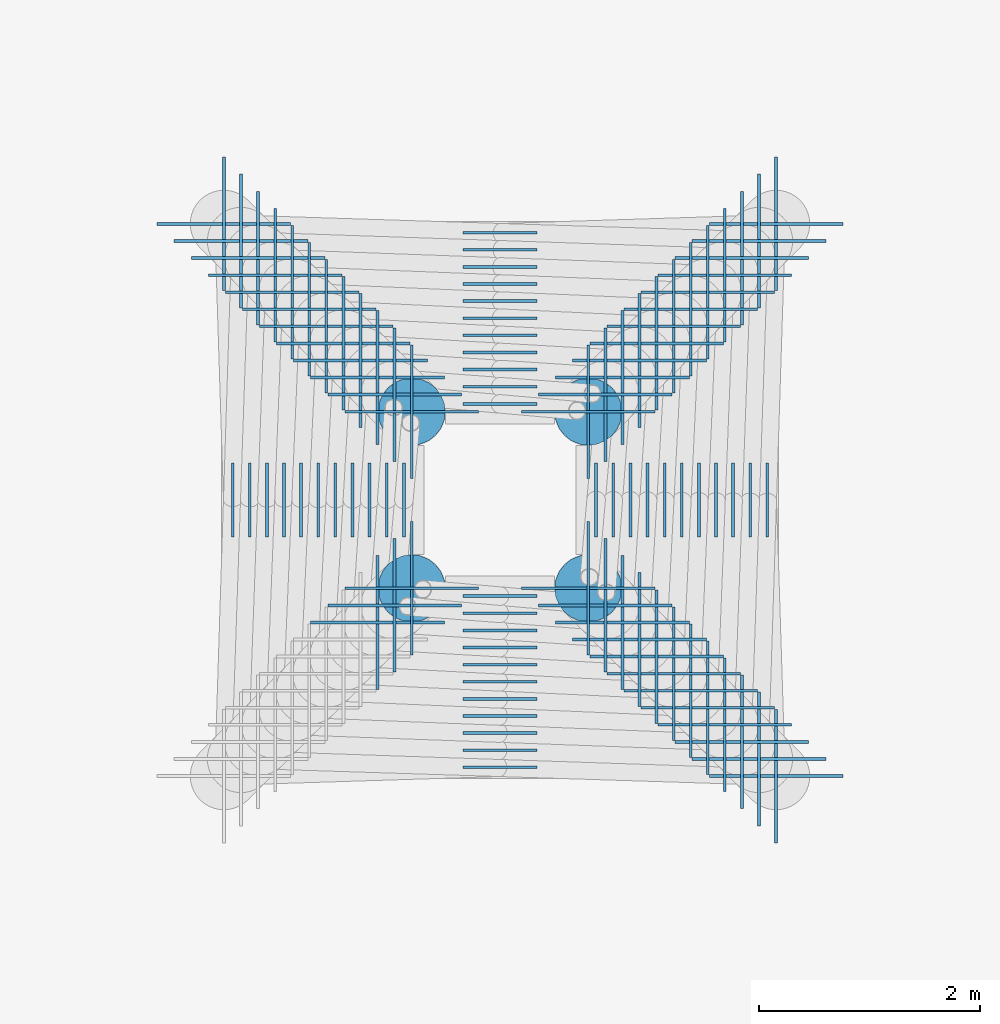
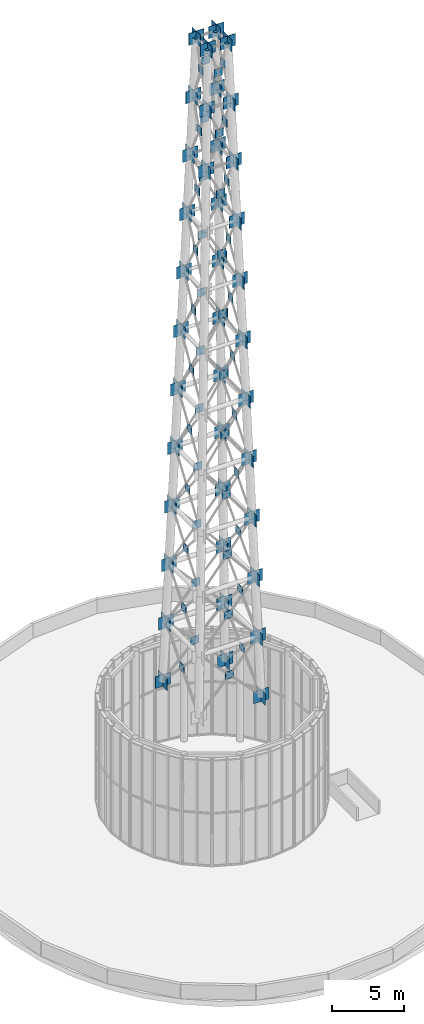
# One storey, part 11 of 11: 126 discrete accessories.
"""IFC4 building model written with IfcOpenShell, lengths in metres."""

from ifc_helpers import new_model, si_unit, direction, frame, origin, origin_2d, place, context, subcontext, project, spatial, polyline, rectangle, outline, extrude, element, save


model = new_model("IFC4")

# Units and contexts
model_context = context("Model", 3, precision=1e-05, world=origin(), true_north=direction((0.0, 1.0)))
body_context = subcontext(model_context, "Body", "Model", "MODEL_VIEW")
ifc_project = project(units=[si_unit("LENGTHUNIT", "METRE"), si_unit("AREAUNIT", "SQUARE_METRE"), si_unit("VOLUMEUNIT", "CUBIC_METRE"), si_unit("PLANEANGLEUNIT", "RADIAN"), si_unit("MASSUNIT", "GRAM", prefix="KILO")], contexts=[model_context])

# Site, building, storey
site_placement = place(None, origin())
site = spatial("IfcSite", under=ifc_project, at=site_placement, CompositionType="ELEMENT")
building_placement = place(site_placement, origin())
building = spatial("IfcBuilding", under=site, at=building_placement, Name="Vermilion Reach Broadcast Tower", CompositionType="ELEMENT")
storey_placement = place(building_placement, frame((0.0, 0.0, 329.699951171875)))
storey = spatial("IfcBuildingStorey", under=building, at=storey_placement, Name="RF", CompositionType="ELEMENT", Elevation=329.699951171875)

# Discrete accessories
for number, where, z_axis, x_axis, name in (
    (1, (-6.0, -2.420166015625, 11.7431640625), (0.0, 0.0, 1.0), (0.0, 1.0, 0.0), "Node plate MAST-X1 crossing 1"),
    (2, (-3.579833984375, 0.0, 11.7431640625), (0.0, 0.0, 1.0), (-1.0, 0.0, 0.0), "Node plate MAST-X1 crossing 2"),
    (3, (-6.0, 2.420166015625, 11.7431640625), (0.0, 0.0, 1.0), (0.0, -1.0, 0.0), "Node plate MAST-X1 crossing 3"),
    (4, (-8.420166015625, 0.0, 11.7431640625), (0.0, 0.0, 1.0), (1.0, 0.0, 0.0), "Node plate MAST-X1 crossing 4"),
    (5, (-6.0, -2.265625, 16.74853515625), (0.0, 0.0, 1.0), (0.0, 1.0, 0.0), "Node plate MAST-X2 crossing 1"),
    (6, (-3.734375, 0.0, 16.74853515625), (0.0, 0.0, 1.0), (-1.0, 0.0, 0.0), "Node plate MAST-X2 crossing 2"),
    (7, (-6.0, 2.265625, 16.74853515625), (0.0, 0.0, 1.0), (0.0, -1.0, 0.0), "Node plate MAST-X2 crossing 3"),
    (8, (-8.265625, 0.0, 16.74853515625), (0.0, 0.0, 1.0), (1.0, 0.0, 0.0), "Node plate MAST-X2 crossing 4"),
    (9, (-6.0, -2.11083984375, 21.7548828125), (0.0, 0.0, 1.0), (0.0, 1.0, 0.0), "Node plate MAST-X3 crossing 1"),
    (10, (-3.88916015625, 0.0, 21.7548828125), (0.0, 0.0, 1.0), (-1.0, 0.0, 0.0), "Node plate MAST-X3 crossing 2"),
    (11, (-6.0, 2.11083984375, 21.7548828125), (0.0, 0.0, 1.0), (0.0, -1.0, 0.0), "Node plate MAST-X3 crossing 3"),
    (12, (-8.11083984375, 0.0, 21.7548828125), (0.0, 0.0, 1.0), (1.0, 0.0, 0.0), "Node plate MAST-X3 crossing 4"),
    (13, (-6.0, -1.9560546875, 26.76220703125), (0.0, 0.0, 1.0), (0.0, 1.0, 0.0), "Node plate MAST-X4 crossing 1"),
    (14, (-4.0439453125, 0.0, 26.76220703125), (0.0, 0.0, 1.0), (-1.0, 0.0, 0.0), "Node plate MAST-X4 crossing 2"),
    (15, (-6.0, 1.9560546875, 26.76220703125), (0.0, 0.0, 1.0), (0.0, -1.0, 0.0), "Node plate MAST-X4 crossing 3"),
    (16, (-7.9560546875, 0.0, 26.76220703125), (0.0, 0.0, 1.0), (1.0, 0.0, 0.0), "Node plate MAST-X4 crossing 4"),
    (17, (-6.0, -1.80126953125, 31.7705078125), (0.0, 0.0, 1.0), (0.0, 1.0, 0.0), "Node plate MAST-X5 crossing 1"),
    (18, (-4.19873046875, 0.0, 31.7705078125), (0.0, 0.0, 1.0), (-1.0, 0.0, 0.0), "Node plate MAST-X5 crossing 2"),
    (19, (-6.0, 1.80126953125, 31.7705078125), (0.0, 0.0, 1.0), (0.0, -1.0, 0.0), "Node plate MAST-X5 crossing 3"),
    (20, (-7.80126953125, 0.0, 31.7705078125), (0.0, 0.0, 1.0), (1.0, 0.0, 0.0), "Node plate MAST-X5 crossing 4"),
    (21, (-6.0, -1.646484375, 36.78076171875), (0.0, 0.0, 1.0), (0.0, 1.0, 0.0), "Node plate MAST-X6 crossing 1"),
    (22, (-4.353515625, 0.0, 36.78076171875), (0.0, 0.0, 1.0), (-1.0, 0.0, 0.0), "Node plate MAST-X6 crossing 2"),
    (23, (-6.0, 1.646484375, 36.78076171875), (0.0, 0.0, 1.0), (0.0, -1.0, 0.0), "Node plate MAST-X6 crossing 3"),
    (24, (-7.646484375, 0.0, 36.78076171875), (0.0, 0.0, 1.0), (1.0, 0.0, 0.0), "Node plate MAST-X6 crossing 4"),
    (25, (-6.0, -1.491455078125, 41.79248046875), (0.0, 0.0, 1.0), (0.0, 1.0, 0.0), "Node plate MAST-X7 crossing 1"),
    (26, (-4.508544921875, 0.0, 41.79248046875), (0.0, 0.0, 1.0), (-1.0, 0.0, 0.0), "Node plate MAST-X7 crossing 2"),
    (27, (-6.0, 1.491455078125, 41.79248046875), (0.0, 0.0, 1.0), (0.0, -1.0, 0.0), "Node plate MAST-X7 crossing 3"),
    (28, (-7.491455078125, 0.0, 41.79248046875), (0.0, 0.0, 1.0), (1.0, 0.0, 0.0), "Node plate MAST-X7 crossing 4"),
    (29, (-6.0, -1.33642578125, 46.8076171875), (0.0, 0.0, 1.0), (0.0, 1.0, 0.0), "Node plate MAST-X8 crossing 1"),
    (30, (-4.66357421875, 0.0, 46.8076171875), (0.0, 0.0, 1.0), (-1.0, 0.0, 0.0), "Node plate MAST-X8 crossing 2"),
    (31, (-6.0, 1.33642578125, 46.8076171875), (0.0, 0.0, 1.0), (0.0, -1.0, 0.0), "Node plate MAST-X8 crossing 3"),
    (32, (-7.33642578125, 0.0, 46.8076171875), (0.0, 0.0, 1.0), (1.0, 0.0, 0.0), "Node plate MAST-X8 crossing 4"),
    (33, (-6.0, -1.181396484375, 51.826171875), (0.0, 0.0, 1.0), (0.0, 1.0, 0.0), "Node plate MAST-X9 crossing 1"),
    (34, (-4.818603515625, 0.0, 51.826171875), (0.0, 0.0, 1.0), (-1.0, 0.0, 0.0), "Node plate MAST-X9 crossing 2"),
    (35, (-6.0, 1.181396484375, 51.826171875), (0.0, 0.0, 1.0), (0.0, -1.0, 0.0), "Node plate MAST-X9 crossing 3"),
    (36, (-7.181396484375, 0.0, 51.826171875), (0.0, 0.0, 1.0), (1.0, 0.0, 0.0), "Node plate MAST-X9 crossing 4"),
    (37, (-6.0, -1.026123046875, 56.8505859375), (0.0, 0.0, 1.0), (0.0, 1.0, 0.0), "Node plate MAST-X10 crossing 1"),
    (38, (-4.973876953125, 0.0, 56.8505859375), (0.0, 0.0, 1.0), (-1.0, 0.0, 0.0), "Node plate MAST-X10 crossing 2"),
    (39, (-6.0, 1.026123046875, 56.8505859375), (0.0, 0.0, 1.0), (0.0, -1.0, 0.0), "Node plate MAST-X10 crossing 3"),
    (40, (-7.026123046875, 0.0, 56.8505859375), (0.0, 0.0, 1.0), (1.0, 0.0, 0.0), "Node plate MAST-X10 crossing 4"),
    (41, (-6.0, -0.870361328125, 61.8837890625), (0.0, 0.0, 1.0), (0.0, 1.0, 0.0), "Node plate MAST-X11 crossing 1"),
    (42, (-5.129638671875, 0.0, 61.8837890625), (0.0, 0.0, 1.0), (-1.0, 0.0, 0.0), "Node plate MAST-X11 crossing 2"),
    (43, (-6.0, 0.870361328125, 61.8837890625), (0.0, 0.0, 1.0), (0.0, -1.0, 0.0), "Node plate MAST-X11 crossing 3"),
    (44, (-6.870361328125, 0.0, 61.8837890625), (0.0, 0.0, 1.0), (1.0, 0.0, 0.0), "Node plate MAST-X11 crossing 4"),
):
    element("IfcDiscreteAccessory", number, at=place(storey_placement, frame(where, z_axis=z_axis, x_axis=x_axis)), inside=storey, Name=name, PredefinedType="NOTDEFINED", context=body_context, shape_type="SweptSolid", body=[
        extrude(rectangle(XDim=0.02490234375, YDim=0.673095703125, at=origin_2d()), origin(), (0.0, 0.0, 1.0), 0.673095703125),
    ])
for number, where, z_axis, x_axis, name in (
    (45, (-3.5, -2.5, 8.9951171875), (0.0, 0.0, 1.0), (0.0, 1.0, 0.0), "Node plate MAST-X1 face 1 leg 2"),
    (46, (-3.5, -2.5, 8.9951171875), (0.0, 0.0, 1.0), (-1.0, 0.0, 0.0), "Node plate MAST-X1 face 2 leg 1"),
    (47, (-3.5, 2.5, 8.9951171875), (0.0, 0.0, 1.0), (-1.0, 0.0, 0.0), "Node plate MAST-X1 face 2 leg 2"),
    (48, (-3.5, 2.5, 8.9951171875), (0.0, 0.0, 1.0), (0.0, -1.0, 0.0), "Node plate MAST-X1 face 3 leg 1"),
    (49, (-8.5, 2.5, 8.9951171875), (0.0, 0.0, 1.0), (0.0, -1.0, 0.0), "Node plate MAST-X1 face 3 leg 2"),
    (50, (-8.5, 2.5, 8.9951171875), (0.0, 0.0, 1.0), (1.0, 0.0, 0.0), "Node plate MAST-X1 face 4 leg 1"),
    (51, (-3.654541015625, -2.345458984375, 13.9951171875), (0.0, 0.0, 1.0), (0.0, 1.0, 0.0), "Node plate MAST-T1 face 1 leg 2"),
    (52, (-3.654541015625, -2.345458984375, 13.9951171875), (0.0, 0.0, 1.0), (-1.0, 0.0, 0.0), "Node plate MAST-T1 face 2 leg 1"),
    (53, (-3.654541015625, 2.345458984375, 13.9951171875), (0.0, 0.0, 1.0), (-1.0, 0.0, 0.0), "Node plate MAST-T1 face 2 leg 2"),
    (54, (-3.654541015625, 2.345458984375, 13.9951171875), (0.0, 0.0, 1.0), (0.0, -1.0, 0.0), "Node plate MAST-T1 face 3 leg 1"),
    (55, (-8.345458984375, 2.345458984375, 13.9951171875), (0.0, 0.0, 1.0), (0.0, -1.0, 0.0), "Node plate MAST-T1 face 3 leg 2"),
    (56, (-8.345458984375, 2.345458984375, 13.9951171875), (0.0, 0.0, 1.0), (1.0, 0.0, 0.0), "Node plate MAST-T1 face 4 leg 1"),
    (57, (-3.80908203125, -2.19091796875, 18.9951171875), (0.0, 0.0, 1.0), (0.0, 1.0, 0.0), "Node plate MAST-T2 face 1 leg 2"),
    (58, (-3.80908203125, -2.19091796875, 18.9951171875), (0.0, 0.0, 1.0), (-1.0, 0.0, 0.0), "Node plate MAST-T2 face 2 leg 1"),
    (59, (-3.80908203125, 2.19091796875, 18.9951171875), (0.0, 0.0, 1.0), (-1.0, 0.0, 0.0), "Node plate MAST-T2 face 2 leg 2"),
    (60, (-3.80908203125, 2.19091796875, 18.9951171875), (0.0, 0.0, 1.0), (0.0, -1.0, 0.0), "Node plate MAST-T2 face 3 leg 1"),
    (61, (-8.19091796875, 2.19091796875, 18.9951171875), (0.0, 0.0, 1.0), (0.0, -1.0, 0.0), "Node plate MAST-T2 face 3 leg 2"),
    (62, (-8.19091796875, 2.19091796875, 18.9951171875), (0.0, 0.0, 1.0), (1.0, 0.0, 0.0), "Node plate MAST-T2 face 4 leg 1"),
    (63, (-3.963623046875, -2.036376953125, 23.9951171875), (0.0, 0.0, 1.0), (0.0, 1.0, 0.0), "Node plate MAST-T3 face 1 leg 2"),
    (64, (-3.963623046875, -2.036376953125, 23.9951171875), (0.0, 0.0, 1.0), (-1.0, 0.0, 0.0), "Node plate MAST-T3 face 2 leg 1"),
    (65, (-3.963623046875, 2.036376953125, 23.9951171875), (0.0, 0.0, 1.0), (-1.0, 0.0, 0.0), "Node plate MAST-T3 face 2 leg 2"),
    (66, (-3.963623046875, 2.036376953125, 23.9951171875), (0.0, 0.0, 1.0), (0.0, -1.0, 0.0), "Node plate MAST-T3 face 3 leg 1"),
    (67, (-8.036376953125, 2.036376953125, 23.9951171875), (0.0, 0.0, 1.0), (0.0, -1.0, 0.0), "Node plate MAST-T3 face 3 leg 2"),
    (68, (-8.036376953125, 2.036376953125, 23.9951171875), (0.0, 0.0, 1.0), (1.0, 0.0, 0.0), "Node plate MAST-T3 face 4 leg 1"),
    (69, (-4.1181640625, -1.8818359375, 28.9951171875), (0.0, 0.0, 1.0), (0.0, 1.0, 0.0), "Node plate MAST-T4 face 1 leg 2"),
    (70, (-4.1181640625, -1.8818359375, 28.9951171875), (0.0, 0.0, 1.0), (-1.0, 0.0, 0.0), "Node plate MAST-T4 face 2 leg 1"),
    (71, (-4.1181640625, 1.8818359375, 28.9951171875), (0.0, 0.0, 1.0), (-1.0, 0.0, 0.0), "Node plate MAST-T4 face 2 leg 2"),
    (72, (-4.1181640625, 1.8818359375, 28.9951171875), (0.0, 0.0, 1.0), (0.0, -1.0, 0.0), "Node plate MAST-T4 face 3 leg 1"),
    (73, (-7.8818359375, 1.8818359375, 28.9951171875), (0.0, 0.0, 1.0), (0.0, -1.0, 0.0), "Node plate MAST-T4 face 3 leg 2"),
    (74, (-7.8818359375, 1.8818359375, 28.9951171875), (0.0, 0.0, 1.0), (1.0, 0.0, 0.0), "Node plate MAST-T4 face 4 leg 1"),
    (75, (-4.272705078125, -1.727294921875, 33.9951171875), (0.0, 0.0, 1.0), (0.0, 1.0, 0.0), "Node plate MAST-T5 face 1 leg 2"),
    (76, (-4.272705078125, -1.727294921875, 33.9951171875), (0.0, 0.0, 1.0), (-1.0, 0.0, 0.0), "Node plate MAST-T5 face 2 leg 1"),
    (77, (-4.272705078125, 1.727294921875, 33.9951171875), (0.0, 0.0, 1.0), (-1.0, 0.0, 0.0), "Node plate MAST-T5 face 2 leg 2"),
    (78, (-4.272705078125, 1.727294921875, 33.9951171875), (0.0, 0.0, 1.0), (0.0, -1.0, 0.0), "Node plate MAST-T5 face 3 leg 1"),
    (79, (-7.727294921875, 1.727294921875, 33.9951171875), (0.0, 0.0, 1.0), (0.0, -1.0, 0.0), "Node plate MAST-T5 face 3 leg 2"),
    (80, (-7.727294921875, 1.727294921875, 33.9951171875), (0.0, 0.0, 1.0), (1.0, 0.0, 0.0), "Node plate MAST-T5 face 4 leg 1"),
    (81, (-4.42724609375, -1.57275390625, 38.9951171875), (0.0, 0.0, 1.0), (0.0, 1.0, 0.0), "Node plate MAST-T6 face 1 leg 2"),
    (82, (-4.42724609375, -1.57275390625, 38.9951171875), (0.0, 0.0, 1.0), (-1.0, 0.0, 0.0), "Node plate MAST-T6 face 2 leg 1"),
    (83, (-4.42724609375, 1.57275390625, 38.9951171875), (0.0, 0.0, 1.0), (-1.0, 0.0, 0.0), "Node plate MAST-T6 face 2 leg 2"),
    (84, (-4.42724609375, 1.57275390625, 38.9951171875), (0.0, 0.0, 1.0), (0.0, -1.0, 0.0), "Node plate MAST-T6 face 3 leg 1"),
    (85, (-7.57275390625, 1.57275390625, 38.9951171875), (0.0, 0.0, 1.0), (0.0, -1.0, 0.0), "Node plate MAST-T6 face 3 leg 2"),
    (86, (-7.57275390625, 1.57275390625, 38.9951171875), (0.0, 0.0, 1.0), (1.0, 0.0, 0.0), "Node plate MAST-T6 face 4 leg 1"),
    (87, (-4.581787109375, -1.418212890625, 43.9951171875), (0.0, 0.0, 1.0), (0.0, 1.0, 0.0), "Node plate MAST-T7 face 1 leg 2"),
    (88, (-4.581787109375, -1.418212890625, 43.9951171875), (0.0, 0.0, 1.0), (-1.0, 0.0, 0.0), "Node plate MAST-T7 face 2 leg 1"),
    (89, (-4.581787109375, 1.418212890625, 43.9951171875), (0.0, 0.0, 1.0), (-1.0, 0.0, 0.0), "Node plate MAST-T7 face 2 leg 2"),
    (90, (-4.581787109375, 1.418212890625, 43.9951171875), (0.0, 0.0, 1.0), (0.0, -1.0, 0.0), "Node plate MAST-T7 face 3 leg 1"),
    (91, (-7.418212890625, 1.418212890625, 43.9951171875), (0.0, 0.0, 1.0), (0.0, -1.0, 0.0), "Node plate MAST-T7 face 3 leg 2"),
    (92, (-7.418212890625, 1.418212890625, 43.9951171875), (0.0, 0.0, 1.0), (1.0, 0.0, 0.0), "Node plate MAST-T7 face 4 leg 1"),
    (93, (-4.736328125, -1.263671875, 48.9951171875), (0.0, 0.0, 1.0), (0.0, 1.0, 0.0), "Node plate MAST-T8 face 1 leg 2"),
    (94, (-4.736328125, -1.263671875, 48.9951171875), (0.0, 0.0, 1.0), (-1.0, 0.0, 0.0), "Node plate MAST-T8 face 2 leg 1"),
    (95, (-4.736328125, 1.263671875, 48.9951171875), (0.0, 0.0, 1.0), (-1.0, 0.0, 0.0), "Node plate MAST-T8 face 2 leg 2"),
    (96, (-4.736328125, 1.263671875, 48.9951171875), (0.0, 0.0, 1.0), (0.0, -1.0, 0.0), "Node plate MAST-T8 face 3 leg 1"),
    (97, (-7.263671875, 1.263671875, 48.9951171875), (0.0, 0.0, 1.0), (0.0, -1.0, 0.0), "Node plate MAST-T8 face 3 leg 2"),
    (98, (-7.263671875, 1.263671875, 48.9951171875), (0.0, 0.0, 1.0), (1.0, 0.0, 0.0), "Node plate MAST-T8 face 4 leg 1"),
    (99, (-7.109130859375, -1.109130859375, 53.9951171875), (0.0, 0.0, 1.0), (0.0, 1.0, 0.0), "Node plate MAST-T9 face 1 leg 1"),
    (100, (-4.890869140625, -1.109130859375, 53.9951171875), (0.0, 0.0, 1.0), (0.0, 1.0, 0.0), "Node plate MAST-T9 face 1 leg 2"),
    (101, (-4.890869140625, -1.109130859375, 53.9951171875), (0.0, 0.0, 1.0), (-1.0, 0.0, 0.0), "Node plate MAST-T9 face 2 leg 1"),
    (102, (-4.890869140625, 1.109130859375, 53.9951171875), (0.0, 0.0, 1.0), (-1.0, 0.0, 0.0), "Node plate MAST-T9 face 2 leg 2"),
    (103, (-4.890869140625, 1.109130859375, 53.9951171875), (0.0, 0.0, 1.0), (0.0, -1.0, 0.0), "Node plate MAST-T9 face 3 leg 1"),
    (104, (-7.109130859375, 1.109130859375, 53.9951171875), (0.0, 0.0, 1.0), (0.0, -1.0, 0.0), "Node plate MAST-T9 face 3 leg 2"),
    (105, (-7.109130859375, 1.109130859375, 53.9951171875), (0.0, 0.0, 1.0), (1.0, 0.0, 0.0), "Node plate MAST-T9 face 4 leg 1"),
    (106, (-7.109130859375, -1.109130859375, 53.9951171875), (0.0, 0.0, 1.0), (1.0, 0.0, 0.0), "Node plate MAST-T9 face 4 leg 2"),
    (107, (-6.95458984375, -0.95458984375, 58.9951171875), (0.0, 0.0, 1.0), (0.0, 1.0, 0.0), "Node plate MAST-T10 face 1 leg 1"),
    (108, (-5.04541015625, -0.95458984375, 58.9951171875), (0.0, 0.0, 1.0), (0.0, 1.0, 0.0), "Node plate MAST-T10 face 1 leg 2"),
    (109, (-5.04541015625, -0.95458984375, 58.9951171875), (0.0, 0.0, 1.0), (-1.0, 0.0, 0.0), "Node plate MAST-T10 face 2 leg 1"),
    (110, (-5.04541015625, 0.95458984375, 58.9951171875), (0.0, 0.0, 1.0), (-1.0, 0.0, 0.0), "Node plate MAST-T10 face 2 leg 2"),
    (111, (-5.04541015625, 0.95458984375, 58.9951171875), (0.0, 0.0, 1.0), (0.0, -1.0, 0.0), "Node plate MAST-T10 face 3 leg 1"),
    (112, (-6.95458984375, 0.95458984375, 58.9951171875), (0.0, 0.0, 1.0), (0.0, -1.0, 0.0), "Node plate MAST-T10 face 3 leg 2"),
    (113, (-6.95458984375, 0.95458984375, 58.9951171875), (0.0, 0.0, 1.0), (1.0, 0.0, 0.0), "Node plate MAST-T10 face 4 leg 1"),
    (114, (-6.95458984375, -0.95458984375, 58.9951171875), (0.0, 0.0, 1.0), (1.0, 0.0, 0.0), "Node plate MAST-T10 face 4 leg 2"),
    (115, (-6.800048828125, -0.800048828125, 63.9951171875), (0.0, 0.0, 1.0), (0.0, 1.0, 0.0), "Node plate MAST-T11 face 1 leg 1"),
    (116, (-5.199951171875, -0.800048828125, 63.9951171875), (0.0, 0.0, 1.0), (0.0, 1.0, 0.0), "Node plate MAST-T11 face 1 leg 2"),
    (117, (-5.199951171875, -0.800048828125, 63.9951171875), (0.0, 0.0, 1.0), (-1.0, 0.0, 0.0), "Node plate MAST-T11 face 2 leg 1"),
    (118, (-5.199951171875, 0.800048828125, 63.9951171875), (0.0, 0.0, 1.0), (-1.0, 0.0, 0.0), "Node plate MAST-T11 face 2 leg 2"),
    (119, (-5.199951171875, 0.800048828125, 63.9951171875), (0.0, 0.0, 1.0), (0.0, -1.0, 0.0), "Node plate MAST-T11 face 3 leg 1"),
    (120, (-6.800048828125, 0.800048828125, 63.9951171875), (0.0, 0.0, 1.0), (0.0, -1.0, 0.0), "Node plate MAST-T11 face 3 leg 2"),
    (121, (-6.800048828125, 0.800048828125, 63.9951171875), (0.0, 0.0, 1.0), (1.0, 0.0, 0.0), "Node plate MAST-T11 face 4 leg 1"),
    (122, (-6.800048828125, -0.800048828125, 63.9951171875), (0.0, 0.0, 1.0), (1.0, 0.0, 0.0), "Node plate MAST-T11 face 4 leg 2"),
):
    element("IfcDiscreteAccessory", number, at=place(storey_placement, frame(where, z_axis=z_axis, x_axis=x_axis)), inside=storey, Name=name, PredefinedType="NOTDEFINED", context=body_context, shape_type="SweptSolid", body=[
        extrude(rectangle(XDim=0.02490234375, YDim=1.2099609375, at=origin_2d()), origin(), (0.0, 0.0, 1.0), 1.010009765625),
    ])
placement = place(storey_placement, frame((0.0, 0.0, 64.47998046875)))
element("IfcDiscreteAccessory", 123, at=placement, inside=storey, Name="Mast leg L1 end plate", PredefinedType="NOTDEFINED", context=body_context, shape_type="SweptSolid", body=[
    extrude(outline(polyline([(-6.4951171875, -0.800048828125), (-6.50537109375, -0.720947265625), (-6.535888671875, -0.6474609375), (-6.584228515625, -0.584228515625), (-6.6474609375, -0.535888671875), (-6.720947265625, -0.50537109375), (-6.800048828125, -0.4951171875), (-6.87890625, -0.50537109375), (-6.952392578125, -0.535888671875), (-7.015625, -0.584228515625), (-7.064208984375, -0.6474609375), (-7.0947265625, -0.720947265625), (-7.10498046875, -0.800048828125), (-7.0947265625, -0.87890625), (-7.064208984375, -0.952392578125), (-7.015625, -1.015625), (-6.952392578125, -1.064208984375), (-6.87890625, -1.0947265625), (-6.800048828125, -1.10498046875), (-6.720947265625, -1.0947265625), (-6.6474609375, -1.064208984375), (-6.584228515625, -1.015625), (-6.535888671875, -0.952392578125), (-6.50537109375, -0.87890625), (-6.4951171875, -0.800048828125)])), origin(), (0.0, 0.0, 1.0), 0.0361328125),
])
element("IfcDiscreteAccessory", 124, at=placement, inside=storey, Name="Mast leg L2 end plate", PredefinedType="NOTDEFINED", context=body_context, shape_type="SweptSolid", body=[
    extrude(outline(polyline([(-4.89501953125, -0.800048828125), (-4.9052734375, -0.720947265625), (-4.935791015625, -0.6474609375), (-4.984375, -0.584228515625), (-5.047607421875, -0.535888671875), (-5.12109375, -0.50537109375), (-5.199951171875, -0.4951171875), (-5.279052734375, -0.50537109375), (-5.3525390625, -0.535888671875), (-5.415771484375, -0.584228515625), (-5.464111328125, -0.6474609375), (-5.49462890625, -0.720947265625), (-5.5048828125, -0.800048828125), (-5.49462890625, -0.87890625), (-5.464111328125, -0.952392578125), (-5.415771484375, -1.015625), (-5.3525390625, -1.064208984375), (-5.279052734375, -1.0947265625), (-5.199951171875, -1.10498046875), (-5.12109375, -1.0947265625), (-5.047607421875, -1.064208984375), (-4.984375, -1.015625), (-4.935791015625, -0.952392578125), (-4.9052734375, -0.87890625), (-4.89501953125, -0.800048828125)])), origin(), (0.0, 0.0, 1.0), 0.0361328125),
])
element("IfcDiscreteAccessory", 125, at=placement, inside=storey, Name="Mast leg L3 end plate", PredefinedType="NOTDEFINED", context=body_context, shape_type="SweptSolid", body=[
    extrude(outline(polyline([(-4.89501953125, 0.800048828125), (-4.9052734375, 0.87890625), (-4.935791015625, 0.952392578125), (-4.984375, 1.015625), (-5.047607421875, 1.064208984375), (-5.12109375, 1.0947265625), (-5.199951171875, 1.10498046875), (-5.279052734375, 1.0947265625), (-5.3525390625, 1.064208984375), (-5.415771484375, 1.015625), (-5.464111328125, 0.952392578125), (-5.49462890625, 0.87890625), (-5.5048828125, 0.800048828125), (-5.49462890625, 0.720947265625), (-5.464111328125, 0.6474609375), (-5.415771484375, 0.584228515625), (-5.3525390625, 0.535888671875), (-5.279052734375, 0.50537109375), (-5.199951171875, 0.4951171875), (-5.12109375, 0.50537109375), (-5.047607421875, 0.535888671875), (-4.984375, 0.584228515625), (-4.935791015625, 0.6474609375), (-4.9052734375, 0.720947265625), (-4.89501953125, 0.800048828125)])), origin(), (0.0, 0.0, 1.0), 0.0361328125),
])
element("IfcDiscreteAccessory", 126, at=placement, inside=storey, Name="Mast leg L4 end plate", PredefinedType="NOTDEFINED", context=body_context, shape_type="SweptSolid", body=[
    extrude(outline(polyline([(-6.4951171875, 0.800048828125), (-6.50537109375, 0.87890625), (-6.535888671875, 0.952392578125), (-6.584228515625, 1.015625), (-6.6474609375, 1.064208984375), (-6.720947265625, 1.0947265625), (-6.800048828125, 1.10498046875), (-6.87890625, 1.0947265625), (-6.952392578125, 1.064208984375), (-7.015625, 1.015625), (-7.064208984375, 0.952392578125), (-7.0947265625, 0.87890625), (-7.10498046875, 0.800048828125), (-7.0947265625, 0.720947265625), (-7.064208984375, 0.6474609375), (-7.015625, 0.584228515625), (-6.952392578125, 0.535888671875), (-6.87890625, 0.50537109375), (-6.800048828125, 0.4951171875), (-6.720947265625, 0.50537109375), (-6.6474609375, 0.535888671875), (-6.584228515625, 0.584228515625), (-6.535888671875, 0.6474609375), (-6.50537109375, 0.720947265625), (-6.4951171875, 0.800048828125)])), origin(), (0.0, 0.0, 1.0), 0.0361328125),
])

save(model, "model.ifc")
